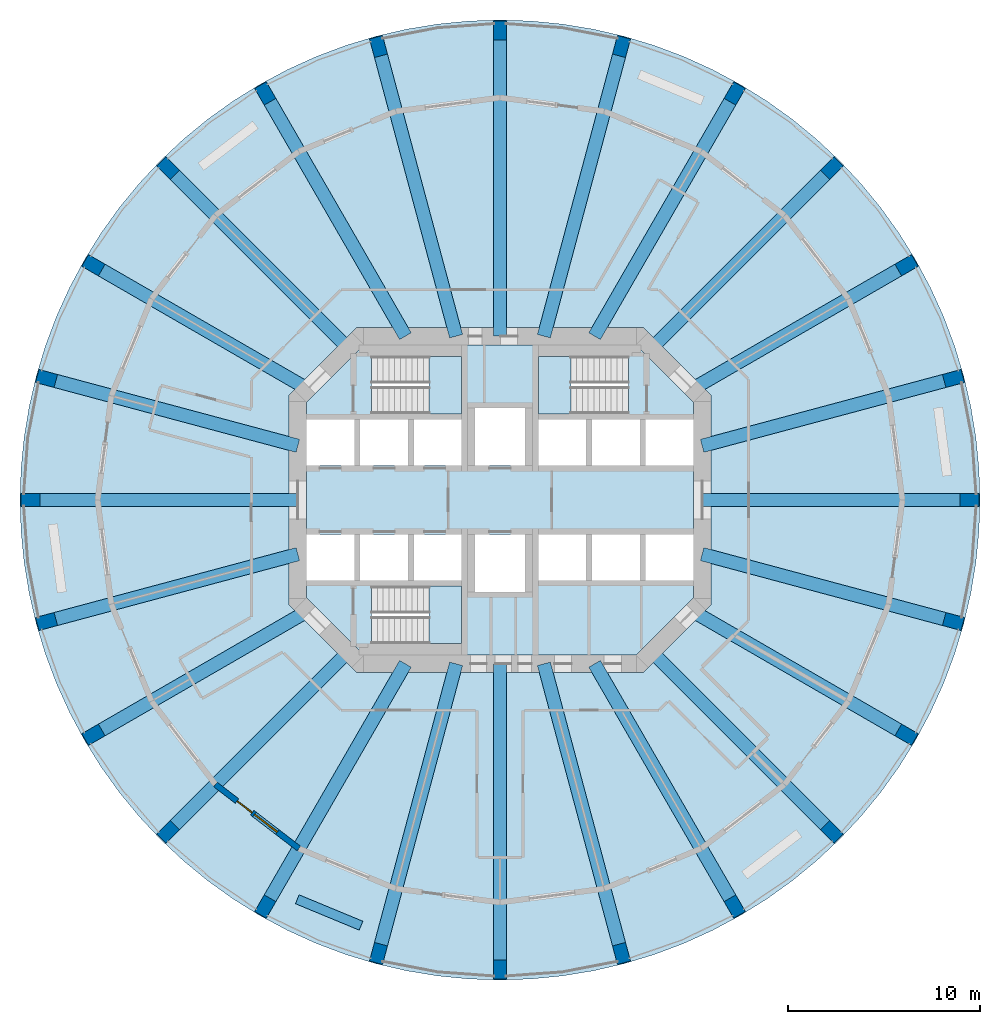
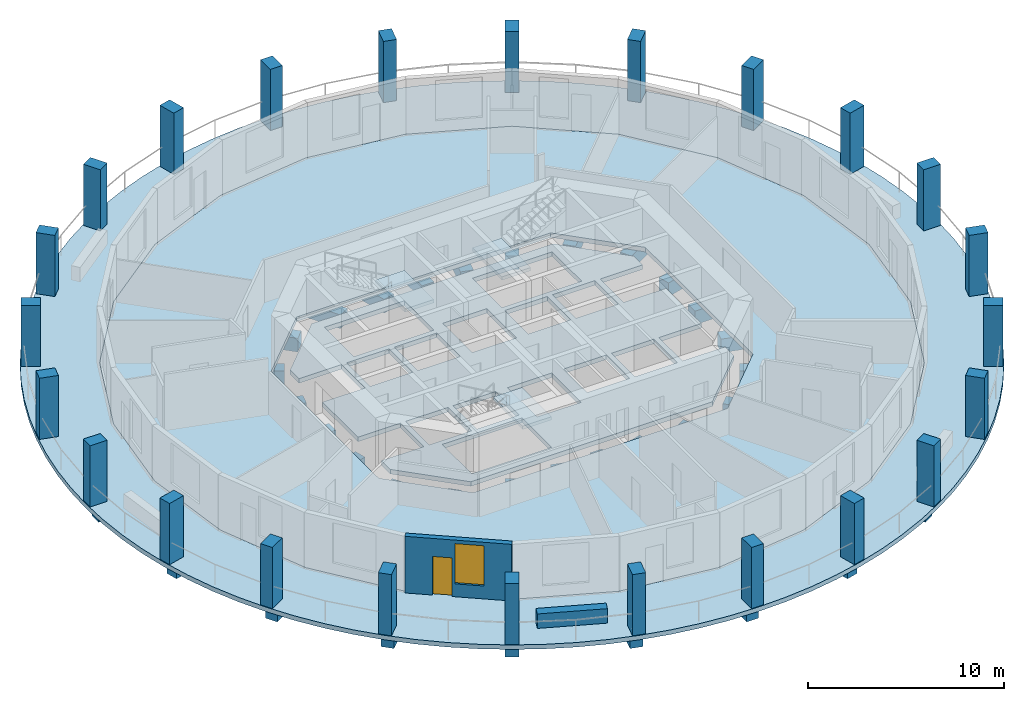
# One storey, part 1 of 8: 24 beams, 24 columns, 6 slabs, 2 walls, 1 door, 1 window, 2 openings, 3 elements without a shape of their own.
"""IFC4 building model written with IfcOpenShell, lengths in metres."""

from ifc_helpers import new_model, si_unit, direction, frame, frame_2d, origin, origin_2d, place, context, subcontext, project, spatial, polyline, rectangle, outline, extrude, material, layer, layer_set, material_profile, profile_set, type_object, element, fill, aggregate, save


model = new_model("IFC4")

# Units and contexts
model_context = context("Model", 3, precision=1e-05, world=origin(), true_north=direction((0.0, 1.0)))
body_context = subcontext(model_context, "Body", "Model", "MODEL_VIEW")
ifc_project = project(units=[si_unit("LENGTHUNIT", "METRE"), si_unit("AREAUNIT", "SQUARE_METRE"), si_unit("VOLUMEUNIT", "CUBIC_METRE"), si_unit("PLANEANGLEUNIT", "RADIAN"), si_unit("MASSUNIT", "GRAM", prefix="KILO")], contexts=[model_context])

# Site, building, storey
site_placement = place(None, origin())
site = spatial("IfcSite", under=ifc_project, at=site_placement, CompositionType="ELEMENT")
building_placement = place(site_placement, origin())
building = spatial("IfcBuilding", under=site, at=building_placement, Name="Torre Triforio", CompositionType="ELEMENT")
storey_placement = place(building_placement, frame((0.0, 0.0, 116.199951171875)))
storey = spatial("IfcBuildingStorey", under=building, at=storey_placement, Name="L25", CompositionType="ELEMENT", Elevation=116.199951171875)

# Columns
ifc_material_1 = material(Name="Concrete C60", Category="concrete")
ifc_material_profile_1 = material_profile(ifc_material_1, rectangle(XDim=0.699951171875, YDim=1.0, at=origin_2d()), Name="RC 700x1000")
ifc_profile_set_1 = profile_set([ifc_material_profile_1], Name="Concrete C60")
column_type = type_object("IfcColumnType", Name="Pier RC 700x1000 C60", PredefinedType="COLUMN", material=ifc_profile_set_1)
for number, where, z_axis, x_axis, name in (
    (1, (24.5, 0.0, 0.0), (0.0, 0.0, 1.0), (0.0, 1.0, 0.0), "COL.R.L25.00"),
    (2, (23.665283203125, 6.341064453125, 0.0), (0.0, 0.0, 1.0), (-0.258819045103, 0.965925826289, 0.0), "COL.R.L25.01"),
    (3, (21.217529296875, 12.25, 0.0), (0.0, 0.0, 1.0), (-0.5, 0.866025403784, 0.0), "COL.R.L25.02"),
    (4, (17.32421875, 17.32421875, 0.0), (0.0, 0.0, 1.0), (-0.707106781187, 0.707106781187, 0.0), "COL.R.L25.03"),
    (5, (12.25, 21.217529296875, 0.0), (0.0, 0.0, 1.0), (-0.866025403784, 0.5, 0.0), "COL.R.L25.04"),
    (6, (6.341064453125, 23.665283203125, 0.0), (0.0, 0.0, 1.0), (-0.965925826289, 0.258819045103, 0.0), "COL.R.L25.05"),
    (7, (0.0, 24.5, 0.0), (0.0, 0.0, 1.0), (-1.0, 0.0, 0.0), "COL.R.L25.06"),
    (8, (-6.341064453125, 23.665283203125, 0.0), (0.0, 0.0, 1.0), (-0.965925826289, -0.258819045103, 0.0), "COL.R.L25.07"),
    (9, (-12.25, 21.217529296875, 0.0), (0.0, 0.0, 1.0), (-0.866025403784, -0.5, 0.0), "COL.R.L25.08"),
    (10, (-17.32421875, 17.32421875, 0.0), (0.0, 0.0, 1.0), (-0.707106781187, -0.707106781187, 0.0), "COL.R.L25.09"),
    (11, (-21.217529296875, 12.25, 0.0), (0.0, 0.0, 1.0), (-0.5, -0.866025403784, 0.0), "COL.R.L25.10"),
    (12, (-23.665283203125, 6.341064453125, 0.0), (0.0, 0.0, 1.0), (-0.258819045103, -0.965925826289, 0.0), "COL.R.L25.11"),
    (13, (-24.5, 0.0, 0.0), (0.0, 0.0, 1.0), (0.0, -1.0, 0.0), "COL.R.L25.12"),
    (14, (-23.665283203125, -6.341064453125, 0.0), (0.0, 0.0, 1.0), (0.258819045103, -0.965925826289, 0.0), "COL.R.L25.13"),
    (15, (-21.217529296875, -12.25, 0.0), (0.0, 0.0, 1.0), (0.5, -0.866025403784, 0.0), "COL.R.L25.14"),
    (16, (-17.32421875, -17.32421875, 0.0), (0.0, 0.0, 1.0), (0.707106781187, -0.707106781187, 0.0), "COL.R.L25.15"),
    (17, (-12.25, -21.217529296875, 0.0), (0.0, 0.0, 1.0), (0.866025403784, -0.5, 0.0), "COL.R.L25.16"),
    (18, (-6.341064453125, -23.665283203125, 0.0), (0.0, 0.0, 1.0), (0.965925826289, -0.258819045103, 0.0), "COL.R.L25.17"),
    (19, (0.0, -24.5, 0.0), (0.0, 0.0, 1.0), (1.0, 0.0, 0.0), "COL.R.L25.18"),
    (20, (6.341064453125, -23.665283203125, 0.0), (0.0, 0.0, 1.0), (0.965925826289, 0.258819045103, 0.0), "COL.R.L25.19"),
    (21, (12.25, -21.217529296875, 0.0), (0.0, 0.0, 1.0), (0.866025403784, 0.5, 0.0), "COL.R.L25.20"),
    (22, (17.32421875, -17.32421875, 0.0), (0.0, 0.0, 1.0), (0.707106781187, 0.707106781187, 0.0), "COL.R.L25.21"),
    (23, (21.217529296875, -12.25, 0.0), (0.0, 0.0, 1.0), (0.5, 0.866025403784, 0.0), "COL.R.L25.22"),
    (24, (23.665283203125, -6.341064453125, 0.0), (0.0, 0.0, 1.0), (0.258819045103, 0.965925826289, 0.0), "COL.R.L25.23"),
):
    element("IfcColumn", number, at=place(storey_placement, frame(where, z_axis=z_axis, x_axis=x_axis)), inside=storey, type_object=column_type, Name=name, PredefinedType="COLUMN", context=body_context, shape_type="SweptSolid", body=[
        extrude(rectangle(XDim=0.699951171875, YDim=1.0, at=origin_2d()), origin(), (0.0, 0.0, 1.0), 3.800048828125),
    ])

# Beams
ifc_material_2 = material(Name="Concrete C50", Category="concrete")
ifc_material_profile_2 = material_profile(ifc_material_2, rectangle(XDim=0.699951171875, YDim=0.85009765625, at=origin_2d()), Name="RC 700x850")
ifc_profile_set_2 = profile_set([ifc_material_profile_2], Name="Concrete C50")
beam_type = type_object("IfcBeamType", Name="Radial beam RC 700x850 C50", PredefinedType="BEAM", material=ifc_profile_set_2)
beam_1_placement = place(storey_placement, frame((10.550048828125, 0.0, -0.704833984375), z_axis=(1.0, 0.0, 0.0), x_axis=(0.0, 1.0, 0.0)))
element("IfcBeam", 25, at=beam_1_placement, inside=storey, type_object=beam_type, Name="BM.R.L25.00", PredefinedType="BEAM", context=body_context, shape_type="SweptSolid", body=[
    extrude(rectangle(XDim=0.699951171875, YDim=0.85009765625, at=origin_2d()), origin(), (0.0, 0.0, 1.0), 13.949951171875),
])
beam_2_placement = place(storey_placement, frame((10.550048828125, 2.826904296875, -0.704833984375), z_axis=(0.965926862951, 0.258815176197, 0.0), x_axis=(-0.258815176197, 0.965926862951, 0.0)))
element("IfcBeam", 26, at=beam_2_placement, inside=storey, type_object=beam_type, Name="BM.R.L25.01", PredefinedType="BEAM", context=body_context, shape_type="SweptSolid", body=[
    extrude(rectangle(XDim=0.699951171875, YDim=0.85009765625, at=origin_2d()), origin(), (0.0, 0.0, 1.0), 13.577880859375),
])
beam_3_placement = place(storey_placement, frame((10.039794921875, 5.796630859375, -0.704833984375), z_axis=(0.866028718729, 0.499994258303, 0.0), x_axis=(-0.499994258303, 0.866028718729, 0.0)))
element("IfcBeam", 27, at=beam_3_placement, inside=storey, type_object=beam_type, Name="BM.R.L25.02", PredefinedType="BEAM", context=body_context, shape_type="SweptSolid", body=[
    extrude(rectangle(XDim=0.699951171875, YDim=0.85009765625, at=origin_2d()), origin(), (0.0, 0.0, 1.0), 12.906982421875),
])
beam_4_placement = place(storey_placement, frame((7.918212890625, 7.918212890625, -0.704833984375), z_axis=(0.707106781187, 0.707106781187, 0.0), x_axis=(-0.707106781187, 0.707106781187, 0.0)))
element("IfcBeam", 28, at=beam_4_placement, inside=storey, type_object=beam_type, Name="BM.R.L25.03", PredefinedType="BEAM", context=body_context, shape_type="SweptSolid", body=[
    extrude(rectangle(XDim=0.699951171875, YDim=0.85009765625, at=origin_2d()), origin(), (0.0, 0.0, 1.0), 13.302001953125),
])
beam_5_placement = place(storey_placement, frame((4.936279296875, 8.550048828125, -0.704833984375), z_axis=(0.500007560092, 0.86602103892, 0.0), x_axis=(-0.86602103892, 0.500007560092, 0.0)))
element("IfcBeam", 29, at=beam_5_placement, inside=storey, type_object=beam_type, Name="BM.R.L25.04", PredefinedType="BEAM", context=body_context, shape_type="SweptSolid", body=[
    extrude(rectangle(XDim=0.699951171875, YDim=0.85009765625, at=origin_2d()), origin(), (0.0, 0.0, 1.0), 14.627197265625),
])
beam_6_placement = place(storey_placement, frame((2.291015625, 8.550048828125, -0.704833984375), z_axis=(0.258815108997, 0.965926880957, 0.0), x_axis=(-0.965926880957, 0.258815108997, 0.0)))
element("IfcBeam", 30, at=beam_6_placement, inside=storey, type_object=beam_type, Name="BM.R.L25.05", PredefinedType="BEAM", context=body_context, shape_type="SweptSolid", body=[
    extrude(rectangle(XDim=0.699951171875, YDim=0.85009765625, at=origin_2d()), origin(), (0.0, 0.0, 1.0), 15.6484375),
])
beam_7_placement = place(storey_placement, frame((0.0, 8.550048828125, -0.704833984375), z_axis=(0.0, 1.0, 0.0), x_axis=(-1.0, 0.0, 0.0)))
element("IfcBeam", 31, at=beam_7_placement, inside=storey, type_object=beam_type, Name="BM.R.L25.06", PredefinedType="BEAM", context=body_context, shape_type="SweptSolid", body=[
    extrude(rectangle(XDim=0.699951171875, YDim=0.85009765625, at=origin_2d()), origin(), (0.0, 0.0, 1.0), 15.949951171875),
])
beam_8_placement = place(storey_placement, frame((-2.291015625, 8.550048828125, -0.704833984375), z_axis=(-0.258815108997, 0.965926880957, 0.0), x_axis=(-0.965926880957, -0.258815108997, 0.0)))
element("IfcBeam", 32, at=beam_8_placement, inside=storey, type_object=beam_type, Name="BM.R.L25.07", PredefinedType="BEAM", context=body_context, shape_type="SweptSolid", body=[
    extrude(rectangle(XDim=0.699951171875, YDim=0.85009765625, at=origin_2d()), origin(), (0.0, 0.0, 1.0), 15.6484375),
])
beam_9_placement = place(storey_placement, frame((-4.936279296875, 8.550048828125, -0.704833984375), z_axis=(-0.500007560092, 0.86602103892, 0.0), x_axis=(-0.86602103892, -0.500007560092, 0.0)))
element("IfcBeam", 33, at=beam_9_placement, inside=storey, type_object=beam_type, Name="BM.R.L25.08", PredefinedType="BEAM", context=body_context, shape_type="SweptSolid", body=[
    extrude(rectangle(XDim=0.699951171875, YDim=0.85009765625, at=origin_2d()), origin(), (0.0, 0.0, 1.0), 14.627197265625),
])
beam_10_placement = place(storey_placement, frame((-7.918212890625, 7.918212890625, -0.704833984375), z_axis=(-0.707106781187, 0.707106781187, 0.0), x_axis=(-0.707106781187, -0.707106781187, 0.0)))
element("IfcBeam", 34, at=beam_10_placement, inside=storey, type_object=beam_type, Name="BM.R.L25.09", PredefinedType="BEAM", context=body_context, shape_type="SweptSolid", body=[
    extrude(rectangle(XDim=0.699951171875, YDim=0.85009765625, at=origin_2d()), origin(), (0.0, 0.0, 1.0), 13.302001953125),
])
beam_11_placement = place(storey_placement, frame((-10.039794921875, 5.796630859375, -0.704833984375), z_axis=(-0.866028718729, 0.499994258303, 0.0), x_axis=(-0.499994258303, -0.866028718729, 0.0)))
element("IfcBeam", 35, at=beam_11_placement, inside=storey, type_object=beam_type, Name="BM.R.L25.10", PredefinedType="BEAM", context=body_context, shape_type="SweptSolid", body=[
    extrude(rectangle(XDim=0.699951171875, YDim=0.85009765625, at=origin_2d()), origin(), (0.0, 0.0, 1.0), 12.906982421875),
])
beam_12_placement = place(storey_placement, frame((-10.550048828125, 2.826904296875, -0.704833984375), z_axis=(-0.965926862951, 0.258815176197, 0.0), x_axis=(-0.258815176197, -0.965926862951, 0.0)))
element("IfcBeam", 36, at=beam_12_placement, inside=storey, type_object=beam_type, Name="BM.R.L25.11", PredefinedType="BEAM", context=body_context, shape_type="SweptSolid", body=[
    extrude(rectangle(XDim=0.699951171875, YDim=0.85009765625, at=origin_2d()), origin(), (0.0, 0.0, 1.0), 13.577880859375),
])
beam_13_placement = place(storey_placement, frame((-10.550048828125, 0.0, -0.704833984375), z_axis=(-1.0, 0.0, 0.0), x_axis=(0.0, -1.0, 0.0)))
element("IfcBeam", 37, at=beam_13_placement, inside=storey, type_object=beam_type, Name="BM.R.L25.12", PredefinedType="BEAM", context=body_context, shape_type="SweptSolid", body=[
    extrude(rectangle(XDim=0.699951171875, YDim=0.85009765625, at=origin_2d()), origin(), (0.0, 0.0, 1.0), 13.949951171875),
])
beam_14_placement = place(storey_placement, frame((-10.550048828125, -2.826904296875, -0.704833984375), z_axis=(-0.965926862951, -0.258815176197, 0.0), x_axis=(0.258815176197, -0.965926862951, 0.0)))
element("IfcBeam", 38, at=beam_14_placement, inside=storey, type_object=beam_type, Name="BM.R.L25.13", PredefinedType="BEAM", context=body_context, shape_type="SweptSolid", body=[
    extrude(rectangle(XDim=0.699951171875, YDim=0.85009765625, at=origin_2d()), origin(), (0.0, 0.0, 1.0), 13.577880859375),
])
beam_15_placement = place(storey_placement, frame((-10.039794921875, -5.796630859375, -0.704833984375), z_axis=(-0.866028718729, -0.499994258303, 0.0), x_axis=(0.499994258303, -0.866028718729, 0.0)))
element("IfcBeam", 39, at=beam_15_placement, inside=storey, type_object=beam_type, Name="BM.R.L25.14", PredefinedType="BEAM", context=body_context, shape_type="SweptSolid", body=[
    extrude(rectangle(XDim=0.699951171875, YDim=0.85009765625, at=origin_2d()), origin(), (0.0, 0.0, 1.0), 12.906982421875),
])
beam_16_placement = place(storey_placement, frame((-7.918212890625, -7.918212890625, -0.704833984375), z_axis=(-0.707106781187, -0.707106781187, 0.0), x_axis=(0.707106781187, -0.707106781187, 0.0)))
element("IfcBeam", 40, at=beam_16_placement, inside=storey, type_object=beam_type, Name="BM.R.L25.15", PredefinedType="BEAM", context=body_context, shape_type="SweptSolid", body=[
    extrude(rectangle(XDim=0.699951171875, YDim=0.85009765625, at=origin_2d()), origin(), (0.0, 0.0, 1.0), 13.302001953125),
])
beam_17_placement = place(storey_placement, frame((-4.936279296875, -8.550048828125, -0.704833984375), z_axis=(-0.500007560092, -0.86602103892, 0.0), x_axis=(0.86602103892, -0.500007560092, 0.0)))
element("IfcBeam", 41, at=beam_17_placement, inside=storey, type_object=beam_type, Name="BM.R.L25.16", PredefinedType="BEAM", context=body_context, shape_type="SweptSolid", body=[
    extrude(rectangle(XDim=0.699951171875, YDim=0.85009765625, at=origin_2d()), origin(), (0.0, 0.0, 1.0), 14.627197265625),
])
beam_18_placement = place(storey_placement, frame((-2.291015625, -8.550048828125, -0.704833984375), z_axis=(-0.258815108997, -0.965926880957, 0.0), x_axis=(0.965926880957, -0.258815108997, 0.0)))
element("IfcBeam", 42, at=beam_18_placement, inside=storey, type_object=beam_type, Name="BM.R.L25.17", PredefinedType="BEAM", context=body_context, shape_type="SweptSolid", body=[
    extrude(rectangle(XDim=0.699951171875, YDim=0.85009765625, at=origin_2d()), origin(), (0.0, 0.0, 1.0), 15.6484375),
])
beam_19_placement = place(storey_placement, frame((0.0, -8.550048828125, -0.704833984375), z_axis=(0.0, -1.0, 0.0), x_axis=(1.0, 0.0, 0.0)))
element("IfcBeam", 43, at=beam_19_placement, inside=storey, type_object=beam_type, Name="BM.R.L25.18", PredefinedType="BEAM", context=body_context, shape_type="SweptSolid", body=[
    extrude(rectangle(XDim=0.699951171875, YDim=0.85009765625, at=origin_2d()), origin(), (0.0, 0.0, 1.0), 15.949951171875),
])
beam_20_placement = place(storey_placement, frame((2.291015625, -8.550048828125, -0.704833984375), z_axis=(0.258815108997, -0.965926880957, 0.0), x_axis=(0.965926880957, 0.258815108997, 0.0)))
element("IfcBeam", 44, at=beam_20_placement, inside=storey, type_object=beam_type, Name="BM.R.L25.19", PredefinedType="BEAM", context=body_context, shape_type="SweptSolid", body=[
    extrude(rectangle(XDim=0.699951171875, YDim=0.85009765625, at=origin_2d()), origin(), (0.0, 0.0, 1.0), 15.6484375),
])
beam_21_placement = place(storey_placement, frame((4.936279296875, -8.550048828125, -0.704833984375), z_axis=(0.500007560092, -0.86602103892, 0.0), x_axis=(0.86602103892, 0.500007560092, 0.0)))
element("IfcBeam", 45, at=beam_21_placement, inside=storey, type_object=beam_type, Name="BM.R.L25.20", PredefinedType="BEAM", context=body_context, shape_type="SweptSolid", body=[
    extrude(rectangle(XDim=0.699951171875, YDim=0.85009765625, at=origin_2d()), origin(), (0.0, 0.0, 1.0), 14.627197265625),
])
beam_22_placement = place(storey_placement, frame((7.918212890625, -7.918212890625, -0.704833984375), z_axis=(0.707106781187, -0.707106781187, 0.0), x_axis=(0.707106781187, 0.707106781187, 0.0)))
element("IfcBeam", 46, at=beam_22_placement, inside=storey, type_object=beam_type, Name="BM.R.L25.21", PredefinedType="BEAM", context=body_context, shape_type="SweptSolid", body=[
    extrude(rectangle(XDim=0.699951171875, YDim=0.85009765625, at=origin_2d()), origin(), (0.0, 0.0, 1.0), 13.302001953125),
])
beam_23_placement = place(storey_placement, frame((10.039794921875, -5.796630859375, -0.704833984375), z_axis=(0.866028718729, -0.499994258303, 0.0), x_axis=(0.499994258303, 0.866028718729, 0.0)))
element("IfcBeam", 47, at=beam_23_placement, inside=storey, type_object=beam_type, Name="BM.R.L25.22", PredefinedType="BEAM", context=body_context, shape_type="SweptSolid", body=[
    extrude(rectangle(XDim=0.699951171875, YDim=0.85009765625, at=origin_2d()), origin(), (0.0, 0.0, 1.0), 12.906982421875),
])
beam_24_placement = place(storey_placement, frame((10.550048828125, -2.826904296875, -0.704833984375), z_axis=(0.965926862951, -0.258815176197, 0.0), x_axis=(0.258815176197, 0.965926862951, 0.0)))
element("IfcBeam", 48, at=beam_24_placement, inside=storey, type_object=beam_type, Name="BM.R.L25.23", PredefinedType="BEAM", context=body_context, shape_type="SweptSolid", body=[
    extrude(rectangle(XDim=0.699951171875, YDim=0.85009765625, at=origin_2d()), origin(), (0.0, 0.0, 1.0), 13.577880859375),
])

# Slabs
ifc_layer_1 = layer(ifc_material_1, 0.280029296875)
ifc_layer_set_1 = layer_set([ifc_layer_1], Name="Concrete C60")
slab_type_1 = type_object("IfcSlabType", Name="Core floor slab 280 mm C60 REI 120", PredefinedType="FLOOR", material=ifc_layer_set_1)
slab_1_placement = place(storey_placement, frame((0.0, 0.0, -0.280029296875)))
element("IfcSlab", 49, at=slab_1_placement, inside=storey, type_object=slab_type_1, Name="Core floor slab", PredefinedType="FLOOR", context=body_context, shape_type="SweptSolid", body=[
    extrude(outline(polyline([(10.10009765625, -5.10009765625), (7.10009765625, -8.10009765625), (-7.10009765625, -8.10009765625), (-10.10009765625, -5.10009765625), (-10.10009765625, -4.199951171875), (-7.60009765625, -4.199951171875), (-7.60009765625, -1.800048828125), (-10.10009765625, -1.800048828125), (-10.10009765625, 1.800048828125), (-7.60009765625, 1.800048828125), (-7.60009765625, 4.199951171875), (-10.10009765625, 4.199951171875), (-10.10009765625, 5.10009765625), (-7.10009765625, 8.10009765625), (7.10009765625, 8.10009765625), (10.10009765625, 5.10009765625), (10.10009765625, 4.199951171875), (7.60009765625, 4.199951171875), (7.60009765625, 1.800048828125), (10.10009765625, 1.800048828125), (10.10009765625, -1.800048828125), (7.60009765625, -1.800048828125), (7.60009765625, -4.199951171875), (10.10009765625, -4.199951171875), (10.10009765625, -5.10009765625)]), holes=[polyline([(-2.0, -4.5), (-6.696044921875, -4.5), (-6.696044921875, -7.5), (-2.0, -7.5), (-2.0, -4.5)]), polyline([(-4.800048828125, -1.800048828125), (-7.300048828125, -1.800048828125), (-7.300048828125, -4.199951171875), (-4.800048828125, -4.199951171875), (-4.800048828125, -1.800048828125)]), polyline([(-2.0, -1.800048828125), (-4.5, -1.800048828125), (-4.5, -4.199951171875), (-2.0, -4.199951171875), (-2.0, -1.800048828125)]), polyline([(-4.800048828125, 4.199951171875), (-7.300048828125, 4.199951171875), (-7.300048828125, 1.800048828125), (-4.800048828125, 1.800048828125), (-4.800048828125, 4.199951171875)]), polyline([(-2.0, 4.199951171875), (-4.5, 4.199951171875), (-4.5, 1.800048828125), (-2.0, 1.800048828125), (-2.0, 4.199951171875)]), polyline([(1.300048828125, 4.800048828125), (-1.300048828125, 4.800048828125), (-1.300048828125, 1.800048828125), (1.300048828125, 1.800048828125), (1.300048828125, 4.800048828125)]), polyline([(-2.0, 7.5), (-6.696044921875, 7.5), (-6.696044921875, 4.5), (-2.0, 4.5), (-2.0, 7.5)]), polyline([(1.300048828125, -1.800048828125), (-1.300048828125, -1.800048828125), (-1.300048828125, -4.800048828125), (1.300048828125, -4.800048828125), (1.300048828125, -1.800048828125)]), polyline([(4.5, -1.800048828125), (2.0, -1.800048828125), (2.0, -4.199951171875), (4.5, -4.199951171875), (4.5, -1.800048828125)]), polyline([(7.300048828125, -1.800048828125), (4.800048828125, -1.800048828125), (4.800048828125, -4.199951171875), (7.300048828125, -4.199951171875), (7.300048828125, -1.800048828125)]), polyline([(4.5, 4.199951171875), (2.0, 4.199951171875), (2.0, 1.800048828125), (4.5, 1.800048828125), (4.5, 4.199951171875)]), polyline([(7.300048828125, 4.199951171875), (4.800048828125, 4.199951171875), (4.800048828125, 1.800048828125), (7.300048828125, 1.800048828125), (7.300048828125, 4.199951171875)]), polyline([(6.696044921875, 4.5), (6.696044921875, 7.5), (2.0, 7.5), (2.0, 4.5), (6.696044921875, 4.5)])]), origin(), (0.0, 0.0, 1.0), 0.280029296875),
])
ifc_layer_2 = layer(ifc_material_2, 0.280029296875)
ifc_layer_set_2 = layer_set([ifc_layer_2], Name="Concrete C50")
slab_type_2 = type_object("IfcSlabType", Name="Floor slab 280 C50", PredefinedType="FLOOR", material=ifc_layer_set_2)
slab_2_placement = place(storey_placement, frame((0.0, 0.0, -0.280029296875)))
element("IfcSlab", 50, at=slab_2_placement, inside=storey, type_object=slab_type_2, Name="SL.L25", PredefinedType="FLOOR", context=body_context, shape_type="SweptSolid", body=[
    extrude(outline(polyline([(18.1865234375, -10.5), (20.284423828125, -5.435302734375), (21.0, 0.0), (20.284423828125, 5.435302734375), (18.1865234375, 10.5), (14.84912109375, 14.84912109375), (10.5, 18.1865234375), (5.435302734375, 20.284423828125), (0.0, 21.0), (-5.435302734375, 20.284423828125), (-10.5, 18.1865234375), (-14.84912109375, 14.84912109375), (-18.1865234375, 10.5), (-20.284423828125, 5.435302734375), (-21.0, 0.0), (-20.284423828125, -5.435302734375), (-18.1865234375, -10.5), (-14.84912109375, -14.84912109375), (-10.5, -18.1865234375), (-5.435302734375, -20.284423828125), (0.0, -21.0), (5.435302734375, -20.284423828125), (10.5, -18.1865234375), (14.84912109375, -14.84912109375), (18.1865234375, -10.5)]), holes=[polyline([(11.0, 5.472900390625), (11.0, -5.472900390625), (7.472900390625, -9.0), (-7.472900390625, -9.0), (-11.0, -5.472900390625), (-11.0, 5.472900390625), (-7.472900390625, 9.0), (7.472900390625, 9.0), (11.0, 5.472900390625)])]), origin(), (0.0, 0.0, 1.0), 0.280029296875),
])
ifc_layer_3 = layer(ifc_material_2, 0.280029296875)
ifc_layer_set_3 = layer_set([ifc_layer_3], Name="Concrete C50")
slab_type_3 = type_object("IfcSlabType", Name="Loggia slab 280 C50", PredefinedType="FLOOR", material=ifc_layer_set_3)
slab_3_placement = place(storey_placement, frame((0.0, 0.0, -0.280029296875)))
element("IfcSlab", 51, at=slab_3_placement, inside=storey, type_object=slab_type_3, Name="SL.L25.LG", PredefinedType="FLOOR", context=body_context, shape_type="SweptSolid", body=[
    extrude(outline(polyline([(24.996337890625, -1.638427734375), (25.050048828125, 0.0), (24.996337890625, 1.638427734375), (24.835693359375, 3.269775390625), (24.568603515625, 4.886962890625), (24.196533203125, 6.4833984375), (23.720703125, 8.052001953125), (23.14306640625, 9.586181640625), (22.466552734375, 11.079345703125), (21.69384765625, 12.52490234375), (20.828369140625, 13.9169921875), (19.87353515625, 15.24951171875), (18.83349609375, 16.5166015625), (17.713134765625, 17.713134765625), (16.5166015625, 18.83349609375), (15.24951171875, 19.87353515625), (13.9169921875, 20.828369140625), (12.52490234375, 21.69384765625), (11.079345703125, 22.466552734375), (9.586181640625, 23.14306640625), (8.052001953125, 23.720703125), (6.4833984375, 24.196533203125), (4.886962890625, 24.568603515625), (3.269775390625, 24.835693359375), (1.638427734375, 24.996337890625), (0.0, 25.050048828125), (-1.638427734375, 24.996337890625), (-3.269775390625, 24.835693359375), (-4.886962890625, 24.568603515625), (-6.4833984375, 24.196533203125), (-8.052001953125, 23.720703125), (-9.586181640625, 23.14306640625), (-11.079345703125, 22.466552734375), (-12.52490234375, 21.69384765625), (-13.9169921875, 20.828369140625), (-15.24951171875, 19.87353515625), (-16.5166015625, 18.83349609375), (-17.713134765625, 17.713134765625), (-18.83349609375, 16.5166015625), (-19.87353515625, 15.24951171875), (-20.828369140625, 13.9169921875), (-21.69384765625, 12.52490234375), (-22.466552734375, 11.079345703125), (-23.14306640625, 9.586181640625), (-23.720703125, 8.052001953125), (-24.196533203125, 6.4833984375), (-24.568603515625, 4.886962890625), (-24.835693359375, 3.269775390625), (-24.996337890625, 1.638427734375), (-25.050048828125, 0.0), (-24.996337890625, -1.638427734375), (-24.835693359375, -3.269775390625), (-24.568603515625, -4.886962890625), (-24.196533203125, -6.4833984375), (-23.720703125, -8.052001953125), (-23.14306640625, -9.586181640625), (-22.466552734375, -11.079345703125), (-21.69384765625, -12.52490234375), (-20.828369140625, -13.9169921875), (-19.87353515625, -15.24951171875), (-18.83349609375, -16.5166015625), (-17.713134765625, -17.713134765625), (-16.5166015625, -18.83349609375), (-15.24951171875, -19.87353515625), (-13.9169921875, -20.828369140625), (-12.52490234375, -21.69384765625), (-11.079345703125, -22.466552734375), (-9.586181640625, -23.14306640625), (-8.052001953125, -23.720703125), (-6.4833984375, -24.196533203125), (-4.886962890625, -24.568603515625), (-3.269775390625, -24.835693359375), (-1.638427734375, -24.996337890625), (0.0, -25.050048828125), (1.638427734375, -24.996337890625), (3.269775390625, -24.835693359375), (4.886962890625, -24.568603515625), (6.4833984375, -24.196533203125), (8.052001953125, -23.720703125), (9.586181640625, -23.14306640625), (11.079345703125, -22.466552734375), (12.52490234375, -21.69384765625), (13.9169921875, -20.828369140625), (15.24951171875, -19.87353515625), (16.5166015625, -18.83349609375), (17.713134765625, -17.713134765625), (18.83349609375, -16.5166015625), (19.87353515625, -15.24951171875), (20.828369140625, -13.9169921875), (21.69384765625, -12.52490234375), (22.466552734375, -11.079345703125), (23.14306640625, -9.586181640625), (23.720703125, -8.052001953125), (24.196533203125, -6.4833984375), (24.568603515625, -4.886962890625), (24.835693359375, -3.269775390625), (24.996337890625, -1.638427734375)]), holes=[polyline([(20.284423828125, 5.435302734375), (21.0, 0.0), (20.284423828125, -5.435302734375), (18.1865234375, -10.5), (14.84912109375, -14.84912109375), (10.5, -18.1865234375), (5.435302734375, -20.284423828125), (0.0, -21.0), (-5.435302734375, -20.284423828125), (-10.5, -18.1865234375), (-14.84912109375, -14.84912109375), (-18.1865234375, -10.5), (-20.284423828125, -5.435302734375), (-21.0, 0.0), (-20.284423828125, 5.435302734375), (-18.1865234375, 10.5), (-14.84912109375, 14.84912109375), (-10.5, 18.1865234375), (-5.435302734375, 20.284423828125), (0.0, 21.0), (5.435302734375, 20.284423828125), (10.5, 18.1865234375), (14.84912109375, 14.84912109375), (18.1865234375, 10.5), (20.284423828125, 5.435302734375)])]), origin(), (0.0, 0.0, 1.0), 0.280029296875),
])

# Stair, slab
ifc_material_3 = material(Name="Concrete C40", Category="concrete")
stair_type = type_object("IfcStairType", Name="STAIR HALF-TURN", PredefinedType="HALF_TURN_STAIR", material=ifc_material_3)
stair_1_placement = place(storey_placement, origin())
stair_1 = element("IfcStair", 52, at=stair_1_placement, inside=storey, type_object=stair_type, Name="Exit stair 1", PredefinedType="HALF_TURN_STAIR")
ifc_layer_4 = layer(ifc_material_3, 0.199951171875)
ifc_layer_set_4 = layer_set([ifc_layer_4], Name="Concrete C40")
slab_type_4 = type_object("IfcSlabType", Name="STAIR LANDING 200", PredefinedType="LANDING", material=ifc_layer_set_4)
slab_4_placement = place(storey_placement, frame((0.0, 0.0, 1.699951171875)))
slab_4 = element("IfcSlab", 53, at=slab_4_placement, type_object=slab_type_4, Name="ST1 landing 1", PredefinedType="LANDING", context=body_context, shape_type="SweptSolid", body=[
    extrude(outline(polyline([(-2.0, 4.5), (-2.0, 7.5), (-3.699951171875, 7.5), (-3.699951171875, 4.5), (-2.0, 4.5)])), origin(), (0.0, 0.0, 1.0), 0.2001953125),
])
aggregate(stair_1, [slab_4])

stair_2_placement = place(storey_placement, origin())
stair_2 = element("IfcStair", 54, at=stair_2_placement, inside=storey, type_object=stair_type, Name="Exit stair 2", PredefinedType="HALF_TURN_STAIR")
slab_5_placement = place(storey_placement, frame((0.0, 0.0, 1.699951171875)))
slab_5 = element("IfcSlab", 55, at=slab_5_placement, type_object=slab_type_4, Name="ST2 landing 1", PredefinedType="LANDING", context=body_context, shape_type="SweptSolid", body=[
    extrude(outline(polyline([(3.699951171875, 4.5), (3.699951171875, 7.5), (2.0, 7.5), (2.0, 4.5), (3.699951171875, 4.5)])), origin(), (0.0, 0.0, 1.0), 0.2001953125),
])
aggregate(stair_2, [slab_5])

stair_3_placement = place(storey_placement, origin())
stair_3 = element("IfcStair", 56, at=stair_3_placement, inside=storey, type_object=stair_type, Name="Exit stair 3", PredefinedType="HALF_TURN_STAIR")
slab_6_placement = place(storey_placement, frame((0.0, 0.0, 1.699951171875)))
slab_6 = element("IfcSlab", 57, at=slab_6_placement, type_object=slab_type_4, Name="ST3 landing 1", PredefinedType="LANDING", context=body_context, shape_type="SweptSolid", body=[
    extrude(outline(polyline([(-2.0, -7.5), (-2.0, -4.5), (-3.699951171875, -4.5), (-3.699951171875, -7.5), (-2.0, -7.5)])), origin(), (0.0, 0.0, 1.0), 0.2001953125),
])
aggregate(stair_3, [slab_6])

# Wall
ifc_material_4 = material(Name="Limestone cladding", Category="masonry")
ifc_layer_5 = layer(ifc_material_4, 0.10009765625)
ifc_layer_6 = layer(ifc_material_3, 0.39990234375)
ifc_layer_set_5 = layer_set([ifc_layer_5, ifc_layer_6], Name="Limestone cladding / Concrete C40")
wall_type_1 = type_object("IfcWallType", Name="Planter wall 500", PredefinedType="PARAPET", material=ifc_layer_set_5)
wall_1_placement = place(storey_placement, frame((-10.57958984375, -20.837646484375, 0.0), z_axis=(0.0, 0.0, 1.0), x_axis=(0.923909393783, -0.382611332921, 0.0)))
element("IfcWall", 58, at=wall_1_placement, inside=storey, type_object=wall_type_1, Name="Planter L25 bay 17", PredefinedType="PARAPET", context=body_context, shape_type="SweptSolid", body=[
    extrude(rectangle(XDim=3.60009765625, YDim=0.5, at=frame_2d((1.800048828125, 0.0))), origin(), (0.0, 0.0, 1.0), 0.900146484375),
])

# Wall, openings, door, window
ifc_layer_7 = layer(ifc_material_4, 0.10009765625)
ifc_layer_8 = layer(ifc_material_3, 0.199951171875)
ifc_layer_set_6 = layer_set([ifc_layer_7, ifc_layer_8], Name="Limestone cladding / Concrete C40")
wall_type_2 = type_object("IfcWallType", Name="Stone-faced composite wall 300", PredefinedType="STANDARD", material=ifc_layer_set_6)
wall_2_placement = place(storey_placement, frame((-14.84912109375, -14.84912109375, 0.0), z_axis=(0.0, 0.0, 1.0), x_axis=(0.793335336593, -0.608784891166, 0.0)))
wall_2 = element("IfcWall", 59, at=wall_2_placement, inside=storey, type_object=wall_type_2, Name="External wall L25 bay 16", PredefinedType="STANDARD", context=body_context, shape_type="SweptSolid", body=[
    extrude(rectangle(XDim=5.482177734375, YDim=0.300048828125, at=frame_2d((2.7412109375, 0.0))), origin(), (0.0, 0.0, 1.0), 3.52001953125),
])
opening_1_placement = place(wall_2_placement, frame((1.416015625, 0.0, 0.0)))
opening_1 = element("IfcOpeningElement", 60, at=opening_1_placement, cuts=wall_2, Name="Opening D1-D16", PredefinedType="OPENING", context=body_context, shape_type="SweptSolid", body=[
    extrude(rectangle(XDim=1.0, YDim=2.39990234375, at=frame_2d((0.5, 1.199951171875))), frame((0.0, 0.159912109375, 0.0), z_axis=(0.0, -1.0, 0.0), x_axis=(1.0, 0.0, 0.0)), (0.0, 0.0, 1.0), 0.320068359375),
])
opening_2_placement = place(wall_2_placement, frame((2.56591796875, 0.0, 0.800048828125)))
opening_2 = element("IfcOpeningElement", 61, at=opening_2_placement, cuts=wall_2, Name="Opening D1-W16A", PredefinedType="OPENING", context=body_context, shape_type="SweptSolid", body=[
    extrude(rectangle(XDim=1.5, YDim=2.5, at=frame_2d((0.75, 1.25))), frame((0.0, 0.159912109375, 0.0), z_axis=(0.0, -1.0, 0.0), x_axis=(1.0, 0.0, 0.0)), (0.0, 0.0, 1.0), 0.320068359375),
])
ifc_material_5 = material(Name="Aluminium frame with clear double glazing", Category="aluminium")
door_type = type_object("IfcDoorType", Name="Loggia door 1000 x 2400", OperationType="NOTDEFINED", PredefinedType="DOOR", material=ifc_material_5)
door_placement = place(opening_1_placement, origin())
door = element("IfcDoor", 62, at=door_placement, inside=storey, type_object=door_type, Name="Loggia door L25 bay 16", OperationType="SINGLE_SWING_LEFT", OverallHeight=2.39990234375, OverallWidth=1.0, PredefinedType="DOOR", context=body_context, shape_type="SweptSolid", body=[
    extrude(rectangle(XDim=1.0, YDim=2.39990234375, at=frame_2d((0.5, 1.199951171875))), frame((0.0, 0.02490234375, 0.0), z_axis=(0.0, -1.0, 0.0), x_axis=(1.0, 0.0, 0.0)), (0.0, 0.0, 1.0), 0.050048828125),
])
fill(opening_1, door)
window_type = type_object("IfcWindowType", Name="Side window 1500 x 2500", PartitioningType="SINGLE_PANEL", PredefinedType="WINDOW", material=ifc_material_5)
window_placement = place(opening_2_placement, origin())
window = element("IfcWindow", 63, at=window_placement, inside=storey, type_object=window_type, Name="Side window EWN13 L25 bay 16", OverallHeight=2.5, OverallWidth=1.5, PartitioningType="SINGLE_PANEL", PredefinedType="WINDOW", context=body_context, shape_type="SweptSolid", body=[
    extrude(rectangle(XDim=1.5, YDim=2.5, at=frame_2d((0.75, 1.25))), frame((0.0, 0.030029296875, 0.0), z_axis=(0.0, -1.0, 0.0), x_axis=(1.0, 0.0, 0.0)), (0.0, 0.0, 1.0), 0.06005859375),
])
fill(opening_2, window)

save(model, "model.ifc")
